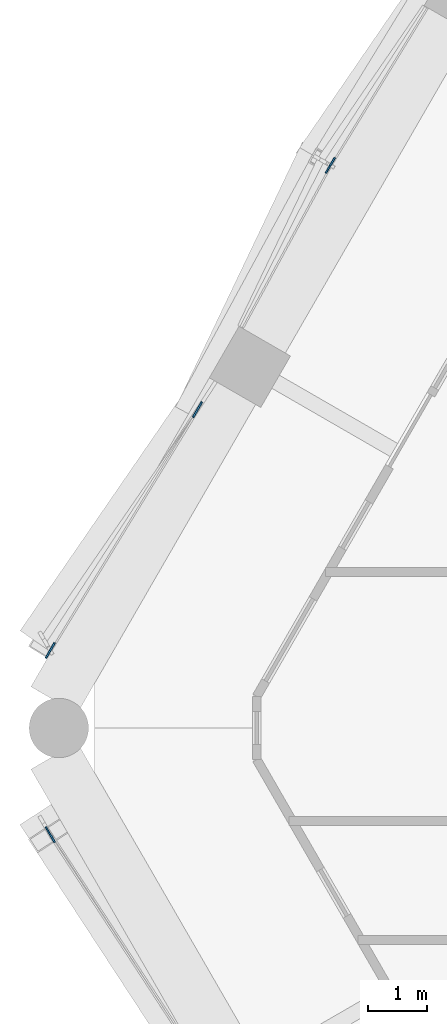
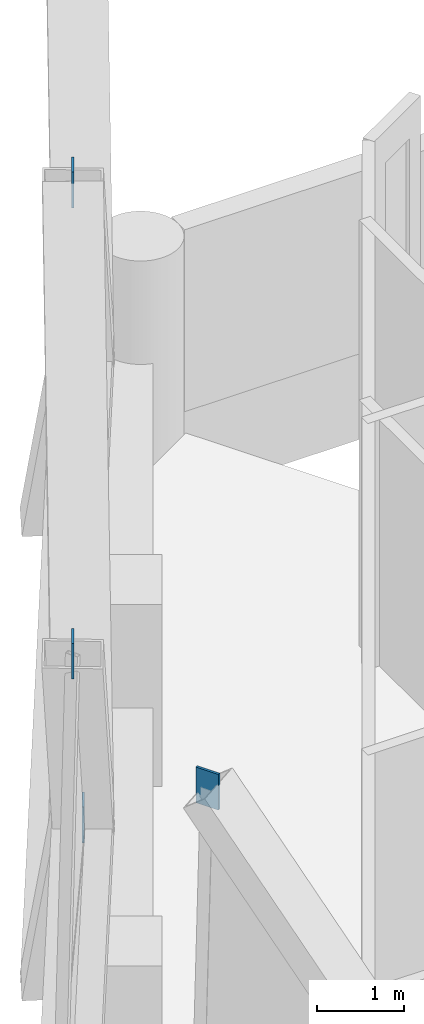
# One storey, part 16 of 19: 4 discrete accessories.
"""IFC4 building model written with IfcOpenShell, lengths in metres."""

from ifc_helpers import new_model, si_unit, direction, frame, origin, origin_2d, place, context, subcontext, project, spatial, rectangle, extrude, material, layer, layer_set, type_object, element, save


model = new_model("IFC4")

# Units and contexts
model_context = context("Model", 3, precision=1e-05, world=origin(), true_north=direction((0.0, 1.0)))
body_context = subcontext(model_context, "Body", "Model", "MODEL_VIEW")
ifc_project = project(units=[si_unit("LENGTHUNIT", "METRE"), si_unit("AREAUNIT", "SQUARE_METRE"), si_unit("VOLUMEUNIT", "CUBIC_METRE"), si_unit("PLANEANGLEUNIT", "RADIAN"), si_unit("MASSUNIT", "GRAM", prefix="KILO")], contexts=[model_context])

# Site, building, storey
site_placement = place(None, origin())
site = spatial("IfcSite", under=ifc_project, at=site_placement, CompositionType="ELEMENT")
building_placement = place(site_placement, origin())
building = spatial("IfcBuilding", under=site, at=building_placement, Name="Ostrander Bayou Hotel Tower", CompositionType="ELEMENT")
storey_placement = place(building_placement, frame((0.0, 0.0, 164.5)))
storey = spatial("IfcBuildingStorey", under=building, at=storey_placement, Name="L40", CompositionType="ELEMENT", Elevation=164.5)

# Discrete accessories
ifc_material = material(Name="Steel ASTM A572 Gr 50", Category="steel")
ifc_layer = layer(ifc_material, 0.030029296875)
ifc_layer_set = layer_set([ifc_layer], Name="GP1 gusset plate 30 mm")
discrete_accessory_type = type_object("IfcDiscreteAccessoryType", Name="GP1 gusset plate 30 mm", PredefinedType="BRACKET", material=ifc_layer_set)
for number, where, z_axis, x_axis, name in (
    (1, (-16.189208984375, 9.3466796875, 10.39990234375), (0.0, 0.0, 1.0), (-0.5, -0.866025403784, 0.0), "GP1 gusset plate lat 253"),
    (2, (-18.42578125, 5.231201171875, 4.77490234375), (0.0, 0.0, 1.0), (-0.5, -0.866025403784, 0.0), "GP1 gusset plate lat 254"),
    (3, (-20.906982421875, 1.175048828125, 10.39990234375), (0.0, 0.0, 1.0), (-0.5, -0.866025403784, 0.0), "GP1 gusset plate lat 255"),
    (4, (-20.906982421875, -1.927978515625, 10.39990234375), (0.0, 0.0, 1.0), (0.5, -0.866025403784, 0.0), "GP1 gusset plate lat 257"),
):
    element("IfcDiscreteAccessory", number, at=place(storey_placement, frame(where, z_axis=z_axis, x_axis=x_axis)), inside=storey, type_object=discrete_accessory_type, Name=name, PredefinedType="BRACKET", context=body_context, shape_type="SweptSolid", body=[
        extrude(rectangle(XDim=0.300048828125, YDim=0.030029296875, at=origin_2d()), origin(), (0.0, 0.0, 1.0), 0.5),
    ])

save(model, "model.ifc")
